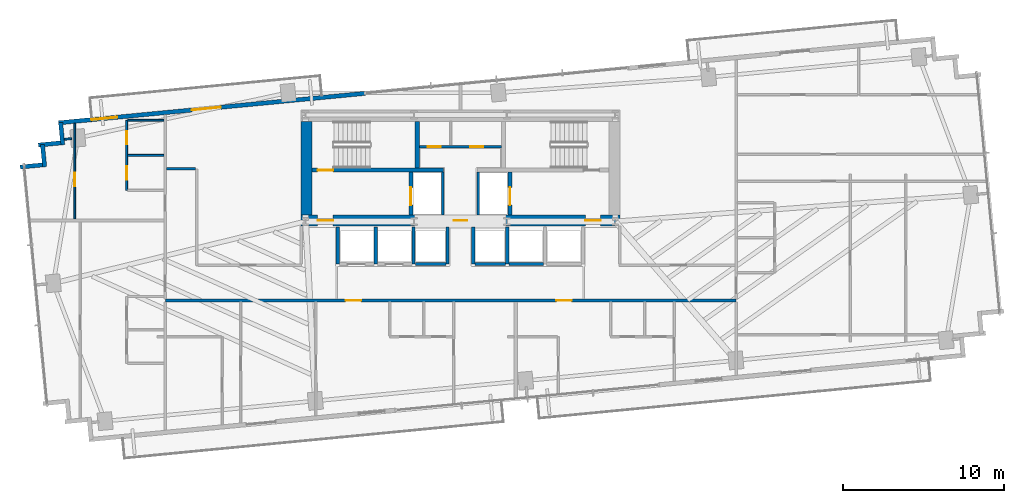
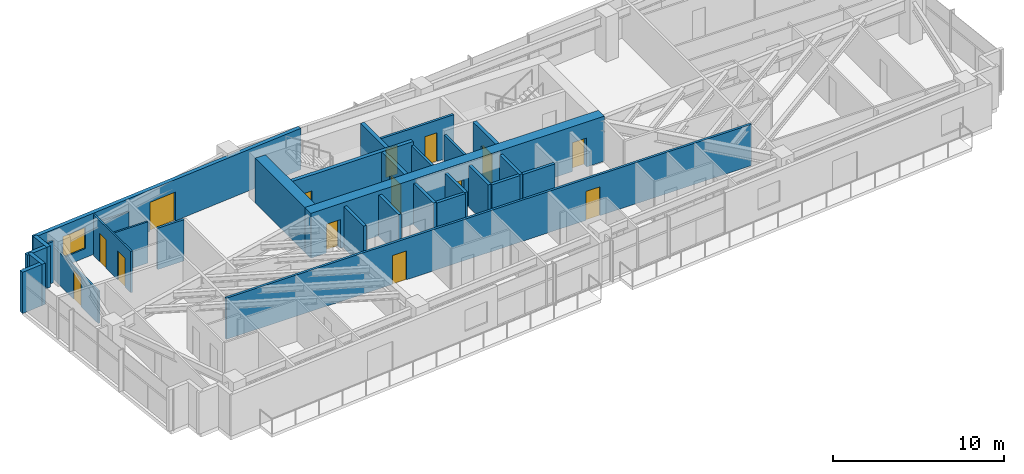
# One storey, part 22 of 27: 30 walls, 14 doors, 1 window, 15 openings.
"""IFC4 building model written with IfcOpenShell, lengths in metres."""

from ifc_helpers import new_model, si_unit, direction, frame, frame_2d, origin, place, context, subcontext, project, spatial, rectangle, extrude, source, transform, mapped, material, layer, layer_set, type_object, type_shapes, element, fill, save


model = new_model("IFC4")

# Units and contexts
model_context = context("Model", 3, precision=1e-05, world=origin(), true_north=direction((0.0, 1.0)))
body_context = subcontext(model_context, "Body", "Model", "MODEL_VIEW")
ifc_project = project(units=[si_unit("LENGTHUNIT", "METRE"), si_unit("AREAUNIT", "SQUARE_METRE"), si_unit("VOLUMEUNIT", "CUBIC_METRE"), si_unit("PLANEANGLEUNIT", "RADIAN"), si_unit("MASSUNIT", "GRAM", prefix="KILO")], contexts=[model_context])

# Site, building, storey
site_placement = place(None, origin())
site = spatial("IfcSite", under=ifc_project, at=site_placement, CompositionType="ELEMENT")
building_placement = place(site_placement, origin())
building = spatial("IfcBuilding", under=site, at=building_placement, Name="Astriad Promenade Condominiums", CompositionType="ELEMENT")
storey_placement = place(building_placement, frame((0.0, 0.0, 87.39990234375)))
storey = spatial("IfcBuildingStorey", under=building, at=storey_placement, Name="L24", CompositionType="ELEMENT", Elevation=87.39990234375)

# Wall, openings, doors
ifc_material_1 = material(Name="Concrete C60/75", Category="concrete")
ifc_layer_1 = layer(ifc_material_1, 0.699951171875)
ifc_layer_set_1 = layer_set([ifc_layer_1], Name="Concrete C60/75")
wall_type_1 = type_object("IfcWallType", Name="CW-SHEAR-700", PredefinedType="SHEAR", material=ifc_layer_set_1)
wall_1_placement = place(storey_placement, frame((26.10009765625, 17.449951171875, 0.0), z_axis=(0.0, 0.0, 1.0), x_axis=(1.0, 0.0, 0.0)))
wall_1 = element("IfcWall", 1, at=wall_1_placement, inside=storey, type_object=wall_type_1, Name="CW-CORE-S-L24", PredefinedType="SHEAR", context=body_context, shape_type="SweptSolid", body=[
    extrude(rectangle(XDim=19.7998046875, YDim=0.699951171875, at=frame_2d((9.89990234375, 0.0))), origin(), (0.0, 0.0, 1.0), 3.2001953125),
])
opening_1_placement = place(wall_1_placement, frame((1.050048828125, 0.0, 0.0)))
opening_1 = element("IfcOpeningElement", 2, at=opening_1_placement, cuts=wall_1, Name="Opening FD90-ST-095", PredefinedType="OPENING", context=body_context, shape_type="SweptSolid", body=[
    extrude(rectangle(XDim=0.949951171875, YDim=2.06005859375, at=frame_2d((0.47509765625, 1.030029296875))), frame((0.0, 0.35986328125, 0.0), z_axis=(0.0, -1.0, 0.0), x_axis=(1.0, 0.0, 0.0)), (0.0, 0.0, 1.0), 0.719970703125),
])
opening_2_placement = place(wall_1_placement, frame((9.47998046875, 0.0, 0.0)))
opening_2 = element("IfcOpeningElement", 3, at=opening_2_placement, cuts=wall_1, Name="Opening FD60-ULOW-085", PredefinedType="OPENING", context=body_context, shape_type="SweptSolid", body=[
    extrude(rectangle(XDim=0.85009765625, YDim=2.0, at=frame_2d((0.425048828125, 1.0))), frame((0.0, 0.35986328125, 0.0), z_axis=(0.0, -1.0, 0.0), x_axis=(1.0, 0.0, 0.0)), (0.0, 0.0, 1.0), 0.719970703125),
])
opening_3_placement = place(wall_1_placement, frame((17.64990234375, 0.0, 0.0)))
opening_3 = element("IfcOpeningElement", 4, at=opening_3_placement, cuts=wall_1, Name="Opening FD90-ST-095", PredefinedType="OPENING", context=body_context, shape_type="SweptSolid", body=[
    extrude(rectangle(XDim=0.949951171875, YDim=2.06005859375, at=frame_2d((0.47509765625, 1.030029296875))), frame((0.0, 0.35986328125, 0.0), z_axis=(0.0, -1.0, 0.0), x_axis=(1.0, 0.0, 0.0)), (0.0, 0.0, 1.0), 0.719970703125),
])
ifc_material_2 = material(Name="Fire-Rated Hollow Metal Stair Door")
door_type_1 = type_object("IfcDoorType", Name="FD90-ST-095", OperationType="NOTDEFINED", PredefinedType="DOOR", material=ifc_material_2)
shared_shape_1 = source(origin(), body_context, "Body", "SweptSolid", [
    extrude(rectangle(XDim=0.949951171875, YDim=2.06005859375, at=frame_2d((0.47509765625, 1.030029296875))), frame((0.0, 0.02490234375, 0.0), z_axis=(0.0, -1.0, 0.0), x_axis=(1.0, 0.0, 0.0)), (0.0, 0.0, 1.0), 0.050048828125),
])
type_shapes(door_type_1, [shared_shape_1])
door_1_placement = place(opening_1_placement, origin())
door_1 = element("IfcDoor", 5, at=door_1_placement, inside=storey, type_object=door_type_1, Name="D-FFW-L24", OperationType="SINGLE_SWING_LEFT", OverallHeight=2.06005859375, OverallWidth=0.949951171875, PredefinedType="DOOR", context=body_context, shape_type="MappedRepresentation", body=[
    mapped(shared_shape_1, transform((0.0, 0.0, 0.0), scale=1.0)),
])
fill(opening_1, door_1)
door_2_placement = place(opening_3_placement, origin())
door_2 = element("IfcDoor", 6, at=door_2_placement, inside=storey, type_object=door_type_1, Name="D-FFE-L24", OperationType="SINGLE_SWING_RIGHT", OverallHeight=2.06005859375, OverallWidth=0.949951171875, PredefinedType="DOOR", context=body_context, shape_type="MappedRepresentation", body=[
    mapped(shared_shape_1, transform((0.0, 0.0, 0.0), scale=1.0)),
])
fill(opening_3, door_2)
ifc_material_3 = material(Name="Solid-Core Low-Headroom Fire Door")
door_type_2 = type_object("IfcDoorType", Name="FD60-ULOW-085", OperationType="NOTDEFINED", PredefinedType="DOOR", material=ifc_material_3)
shared_shape_2 = source(origin(), body_context, "Body", "SweptSolid", [
    extrude(rectangle(XDim=0.85009765625, YDim=2.0, at=frame_2d((0.425048828125, 1.0))), frame((0.0, 0.02490234375, 0.0), z_axis=(0.0, -1.0, 0.0), x_axis=(1.0, 0.0, 0.0)), (0.0, 0.0, 1.0), 0.050048828125),
])
type_shapes(door_type_2, [shared_shape_2])
door_3_placement = place(opening_2_placement, origin())
door_3 = element("IfcDoor", 7, at=door_3_placement, inside=storey, type_object=door_type_2, Name="D-CSL-L24", OperationType="SINGLE_SWING_RIGHT", OverallHeight=2.0, OverallWidth=0.85009765625, PredefinedType="DOOR", context=body_context, shape_type="MappedRepresentation", body=[
    mapped(shared_shape_2, transform((0.0, 0.0, 0.0), scale=1.0)),
])
fill(opening_2, door_3)

# Wall
wall_2_placement = place(storey_placement, frame((26.449951171875, 17.802001953125, 0.0), z_axis=(0.0, 0.0, 1.0), x_axis=(0.0, 1.0, 0.0)))
element("IfcWall", 8, at=wall_2_placement, inside=storey, type_object=wall_type_1, Name="CW-CORE-W-L24", PredefinedType="SHEAR", context=body_context, shape_type="SweptSolid", body=[
    extrude(rectangle(XDim=5.7958984375, YDim=0.699951171875, at=frame_2d((2.89794921875, 0.0))), origin(), (0.0, 0.0, 1.0), 3.2001953125),
])

# Wall, opening, door
ifc_material_4 = material(Name="Concrete C50/60", Category="concrete")
ifc_layer_2 = layer(ifc_material_4, 0.25)
ifc_layer_set_2 = layer_set([ifc_layer_2], Name="Concrete C50/60")
wall_type_2 = type_object("IfcWallType", Name="WALL-CORE-INT-250", PredefinedType="SOLIDWALL", material=ifc_layer_set_2)
wall_3_placement = place(storey_placement, frame((26.802001953125, 20.574951171875, 0.0), z_axis=(0.0, 0.0, 1.0), x_axis=(1.0, 0.0, 0.0)))
wall_3 = element("IfcWall", 9, at=wall_3_placement, inside=storey, type_object=wall_type_2, Name="CW-INT-H1-L24", PredefinedType="SOLIDWALL", context=body_context, shape_type="SweptSolid", body=[
    extrude(rectangle(XDim=8.14794921875, YDim=0.25, at=frame_2d((4.073974609375, 0.0))), origin(), (0.0, 0.0, 1.0), 3.2001953125),
])
opening_4_placement = place(wall_3_placement, frame((0.347900390625, 0.0, 0.0)))
opening_4 = element("IfcOpeningElement", 10, at=opening_4_placement, cuts=wall_3, Name="Opening FD90-ST-095", PredefinedType="OPENING", context=body_context, shape_type="SweptSolid", body=[
    extrude(rectangle(XDim=0.949951171875, YDim=2.06005859375, at=frame_2d((0.47509765625, 1.030029296875))), frame((0.0, 0.135009765625, 0.0), z_axis=(0.0, -1.0, 0.0), x_axis=(1.0, 0.0, 0.0)), (0.0, 0.0, 1.0), 0.27001953125),
])
door_4_placement = place(opening_4_placement, origin())
door_4 = element("IfcDoor", 11, at=door_4_placement, inside=storey, type_object=door_type_1, Name="D-ST1-L24", OperationType="SINGLE_SWING_RIGHT", OverallHeight=2.06005859375, OverallWidth=0.949951171875, PredefinedType="DOOR", context=body_context, shape_type="MappedRepresentation", body=[
    mapped(shared_shape_1, transform((0.0, 0.0, 0.0), scale=1.0)),
])
fill(opening_4, door_4)

# Wall
wall_4_placement = place(storey_placement, frame((33.324951171875, 20.701904296875, 0.0), z_axis=(0.0, 0.0, 1.0), x_axis=(0.0, 1.0, 0.0)))
element("IfcWall", 12, at=wall_4_placement, inside=storey, type_object=wall_type_2, Name="CW-ST1-E-L24", PredefinedType="SOLIDWALL", context=body_context, shape_type="SweptSolid", body=[
    extrude(rectangle(XDim=2.89599609375, YDim=0.25, at=frame_2d((1.447998046875, 0.0))), origin(), (0.0, 0.0, 1.0), 3.2001953125),
])

# Wall, opening, door
wall_5_placement = place(storey_placement, frame((32.925048828125, 17.802001953125, 0.0), z_axis=(0.0, 0.0, 1.0), x_axis=(0.0, 1.0, 0.0)))
wall_5 = element("IfcWall", 13, at=wall_5_placement, inside=storey, type_object=wall_type_2, Name="CW-FFL1-W-L24", PredefinedType="SOLIDWALL", context=body_context, shape_type="SweptSolid", body=[
    extrude(rectangle(XDim=2.64599609375, YDim=0.25, at=frame_2d((1.322998046875, 0.0))), origin(), (0.0, 0.0, 1.0), 3.2001953125),
])
opening_5_placement = place(wall_5_placement, frame((0.597900390625, 0.0, 0.0)))
opening_5 = element("IfcOpeningElement", 14, at=opening_5_placement, cuts=wall_5, Name="Opening LD-FFL-1122", PredefinedType="OPENING", context=body_context, shape_type="SweptSolid", body=[
    extrude(rectangle(XDim=1.10009765625, YDim=2.080078125, at=frame_2d((0.550048828125, 1.0400390625))), frame((0.0, 0.135009765625, 0.0), z_axis=(0.0, -1.0, 0.0), x_axis=(1.0, 0.0, 0.0)), (0.0, 0.0, 1.0), 0.27001953125),
])
ifc_material_5 = material(Name="Brushed Stainless Steel Fire Elevator Landing Door", Category="steel")
door_type_3 = type_object("IfcDoorType", Name="LD-FFL-1122", OperationType="NOTDEFINED", PredefinedType="DOOR", material=ifc_material_5)
shared_shape_3 = source(origin(), body_context, "Body", "SweptSolid", [
    extrude(rectangle(XDim=1.10009765625, YDim=2.080078125, at=frame_2d((0.550048828125, 1.0400390625))), frame((0.0, 0.02490234375, 0.0), z_axis=(0.0, -1.0, 0.0), x_axis=(1.0, 0.0, 0.0)), (0.0, 0.0, 1.0), 0.050048828125),
])
type_shapes(door_type_3, [shared_shape_3])
door_5_placement = place(opening_5_placement, origin())
door_5 = element("IfcDoor", 15, at=door_5_placement, inside=storey, type_object=door_type_3, Name="Elevator Landing Door FFL-1 (L24)", OperationType="SLIDING_TO_LEFT", OverallHeight=2.080078125, OverallWidth=1.10009765625, PredefinedType="DOOR", context=body_context, shape_type="MappedRepresentation", body=[
    mapped(shared_shape_3, transform((0.0, 0.0, 0.0), scale=1.0)),
])
fill(opening_5, door_5)

wall_6_placement = place(storey_placement, frame((39.074951171875, 17.802001953125, 0.0), z_axis=(0.0, 0.0, 1.0), x_axis=(0.0, 1.0, 0.0)))
wall_6 = element("IfcWall", 16, at=wall_6_placement, inside=storey, type_object=wall_type_2, Name="CW-FFL2-E-L24", PredefinedType="SOLIDWALL", context=body_context, shape_type="SweptSolid", body=[
    extrude(rectangle(XDim=2.64599609375, YDim=0.25, at=frame_2d((1.322998046875, 0.0))), origin(), (0.0, 0.0, 1.0), 3.2001953125),
])
opening_6_placement = place(wall_6_placement, frame((0.597900390625, 0.0, 0.0)))
opening_6 = element("IfcOpeningElement", 17, at=opening_6_placement, cuts=wall_6, Name="Opening LD-FFL-1122", PredefinedType="OPENING", context=body_context, shape_type="SweptSolid", body=[
    extrude(rectangle(XDim=1.10009765625, YDim=2.080078125, at=frame_2d((0.550048828125, 1.0400390625))), frame((0.0, 0.135009765625, 0.0), z_axis=(0.0, -1.0, 0.0), x_axis=(1.0, 0.0, 0.0)), (0.0, 0.0, 1.0), 0.27001953125),
])
door_6_placement = place(opening_6_placement, origin())
door_6 = element("IfcDoor", 18, at=door_6_placement, inside=storey, type_object=door_type_3, Name="Elevator Landing Door FFL-2 (L24)", OperationType="SLIDING_TO_RIGHT", OverallHeight=2.080078125, OverallWidth=1.10009765625, PredefinedType="DOOR", context=body_context, shape_type="MappedRepresentation", body=[
    mapped(shared_shape_3, transform((0.0, 0.0, 0.0), scale=1.0)),
])
fill(opening_6, door_6)

# Walls
ifc_material_6 = material(Name="Fire-Rated Gypsum Partition")
ifc_layer_3 = layer(ifc_material_6, 0.159912109375)
ifc_layer_set_3 = layer_set([ifc_layer_3], Name="Fire-Rated Gypsum Partition")
wall_type_3 = type_object("IfcWallType", Name="WALL-CORR-160", PredefinedType="PARTITIONING", material=ifc_layer_set_3)
for number, where, z_axis, x_axis, name in (
    (19, (34.89990234375, 17.802001953125, 0.0), (0.0, 0.0, 1.0), (0.0, 1.0, 0.0), "CW-FFL1-E-L24"),
    (20, (37.10009765625, 17.802001953125, 0.0), (0.0, 0.0, 1.0), (0.0, 1.0, 0.0), "CW-FFL2-W-L24"),
):
    element("IfcWall", number, at=place(storey_placement, frame(where, z_axis=z_axis, x_axis=x_axis)), inside=storey, type_object=wall_type_3, Name=name, PredefinedType="PARTITIONING", context=body_context, shape_type="SweptSolid", body=[
        extrude(rectangle(XDim=2.64599609375, YDim=0.159912109375, at=frame_2d((1.322998046875, 0.0))), origin(), (0.0, 0.0, 1.0), 2.940185546875),
    ])

# Wall, openings, doors
wall_7_placement = place(storey_placement, frame((33.451904296875, 22.030029296875, 0.0), z_axis=(0.0, 0.0, 1.0), x_axis=(1.0, 0.0, 0.0)))
wall_7 = element("IfcWall", 21, at=wall_7_placement, inside=storey, type_object=wall_type_3, Name="CW-AUX-N-L24", PredefinedType="PARTITIONING", context=body_context, shape_type="SweptSolid", body=[
    extrude(rectangle(XDim=5.09619140625, YDim=0.159912109375, at=frame_2d((2.548095703125, 0.0))), origin(), (0.0, 0.0, 1.0), 2.940185546875),
])
opening_7_placement = place(wall_7_placement, frame((0.5380859375, 0.0, 0.0)))
opening_7 = element("IfcOpeningElement", 22, at=opening_7_placement, cuts=wall_7, Name="Opening FD60-SV-080", PredefinedType="OPENING", context=body_context, shape_type="SweptSolid", body=[
    extrude(rectangle(XDim=0.800048828125, YDim=2.050048828125, at=frame_2d((0.39990234375, 1.02490234375))), frame((0.0, 0.08984375, 0.0), z_axis=(0.0, -1.0, 0.0), x_axis=(1.0, 0.0, 0.0)), (0.0, 0.0, 1.0), 0.179931640625),
])
opening_8_placement = place(wall_7_placement, frame((3.157958984375, 0.0, 0.0)))
opening_8 = element("IfcOpeningElement", 23, at=opening_8_placement, cuts=wall_7, Name="Opening FD60-SV-080", PredefinedType="OPENING", context=body_context, shape_type="SweptSolid", body=[
    extrude(rectangle(XDim=0.800048828125, YDim=2.050048828125, at=frame_2d((0.39990234375, 1.02490234375))), frame((0.0, 0.08984375, 0.0), z_axis=(0.0, -1.0, 0.0), x_axis=(1.0, 0.0, 0.0)), (0.0, 0.0, 1.0), 0.179931640625),
])
ifc_material_7 = material(Name="Fire-Rated Riser Closet Door")
door_type_4 = type_object("IfcDoorType", Name="FD60-SV-080", OperationType="NOTDEFINED", PredefinedType="DOOR", material=ifc_material_7)
shared_shape_4 = source(origin(), body_context, "Body", "SweptSolid", [
    extrude(rectangle(XDim=0.800048828125, YDim=2.050048828125, at=frame_2d((0.39990234375, 1.02490234375))), frame((0.0, 0.02490234375, 0.0), z_axis=(0.0, -1.0, 0.0), x_axis=(1.0, 0.0, 0.0)), (0.0, 0.0, 1.0), 0.050048828125),
])
type_shapes(door_type_4, [shared_shape_4])
door_7_placement = place(opening_7_placement, origin())
door_7 = element("IfcDoor", 24, at=door_7_placement, inside=storey, type_object=door_type_4, Name="D-AUX1-L24", OperationType="SINGLE_SWING_RIGHT", OverallHeight=2.050048828125, OverallWidth=0.800048828125, PredefinedType="DOOR", context=body_context, shape_type="MappedRepresentation", body=[
    mapped(shared_shape_4, transform((0.0, 0.0, 0.0), scale=1.0)),
])
fill(opening_7, door_7)
door_8_placement = place(opening_8_placement, origin())
door_8 = element("IfcDoor", 25, at=door_8_placement, inside=storey, type_object=door_type_4, Name="D-AUX2-L24", OperationType="SINGLE_SWING_LEFT", OverallHeight=2.050048828125, OverallWidth=0.800048828125, PredefinedType="DOOR", context=body_context, shape_type="MappedRepresentation", body=[
    mapped(shared_shape_4, transform((0.0, 0.0, 0.0), scale=1.0)),
])
fill(opening_8, door_8)

wall_8_placement = place(storey_placement, frame((17.699951171875, 12.489990234375, 0.0), z_axis=(0.0, 0.0, 1.0), x_axis=(1.0, 0.0, 0.0)))
wall_8 = element("IfcWall", 26, at=wall_8_placement, inside=storey, type_object=wall_type_3, Name="PT-COR-S-L24", PredefinedType="PARTITIONING", context=body_context, shape_type="SweptSolid", body=[
    extrude(rectangle(XDim=35.400146484375, YDim=0.159912109375, at=frame_2d((17.7001953125, 0.0))), origin(), (0.0, 0.0, 1.0), 2.940185546875),
])
opening_9_placement = place(wall_8_placement, frame((11.18994140625, 0.0, 0.0)))
opening_9 = element("IfcOpeningElement", 27, at=opening_9_placement, cuts=wall_8, Name="Opening FD60-APT-095", PredefinedType="OPENING", context=body_context, shape_type="SweptSolid", body=[
    extrude(rectangle(XDim=0.949951171875, YDim=2.06005859375, at=frame_2d((0.47509765625, 1.030029296875))), frame((0.0, 0.08984375, 0.0), z_axis=(0.0, -1.0, 0.0), x_axis=(1.0, 0.0, 0.0)), (0.0, 0.0, 1.0), 0.179931640625),
])
opening_10_placement = place(wall_8_placement, frame((24.25, 0.0, 0.0)))
opening_10 = element("IfcOpeningElement", 28, at=opening_10_placement, cuts=wall_8, Name="Opening FD60-APT-095", PredefinedType="OPENING", context=body_context, shape_type="SweptSolid", body=[
    extrude(rectangle(XDim=0.949951171875, YDim=2.06005859375, at=frame_2d((0.47509765625, 1.030029296875))), frame((0.0, 0.08984375, 0.0), z_axis=(0.0, -1.0, 0.0), x_axis=(1.0, 0.0, 0.0)), (0.0, 0.0, 1.0), 0.179931640625),
])
ifc_material_8 = material(Name="Solid-Core Acoustic Timber Residence Entry Door", Category="wood")
door_type_5 = type_object("IfcDoorType", Name="FD60-APT-095", OperationType="NOTDEFINED", PredefinedType="DOOR", material=ifc_material_8)
shared_shape_5 = source(origin(), body_context, "Body", "SweptSolid", [
    extrude(rectangle(XDim=0.949951171875, YDim=2.06005859375, at=frame_2d((0.47509765625, 1.030029296875))), frame((0.0, 0.02490234375, 0.0), z_axis=(0.0, -1.0, 0.0), x_axis=(1.0, 0.0, 0.0)), (0.0, 0.0, 1.0), 0.050048828125),
])
type_shapes(door_type_5, [shared_shape_5])
door_9_placement = place(opening_9_placement, origin())
door_9 = element("IfcDoor", 29, at=door_9_placement, inside=storey, type_object=door_type_5, Name="D-ENT-L24-S1", OperationType="SINGLE_SWING_LEFT", OverallHeight=2.06005859375, OverallWidth=0.949951171875, PredefinedType="DOOR", context=body_context, shape_type="MappedRepresentation", body=[
    mapped(shared_shape_5, transform((0.0, 0.0, 0.0), scale=1.0)),
])
fill(opening_9, door_9)
door_10_placement = place(opening_10_placement, origin())
door_10 = element("IfcDoor", 30, at=door_10_placement, inside=storey, type_object=door_type_5, Name="D-ENT-L24-S2", OperationType="SINGLE_SWING_RIGHT", OverallHeight=2.06005859375, OverallWidth=0.949951171875, PredefinedType="DOOR", context=body_context, shape_type="MappedRepresentation", body=[
    mapped(shared_shape_5, transform((0.0, 0.0, 0.0), scale=1.0)),
])
fill(opening_10, door_10)

# Walls
wall_9_placement = place(storey_placement, frame((17.781982421875, 20.64990234375, 0.0), z_axis=(0.0, 0.0, 1.0), x_axis=(1.0, 0.0, 0.0)))
element("IfcWall", 31, at=wall_9_placement, inside=storey, type_object=wall_type_3, Name="PT-WALC-N-L24", PredefinedType="PARTITIONING", context=body_context, shape_type="SweptSolid", body=[
    extrude(rectangle(XDim=1.7861328125, YDim=0.159912109375, at=frame_2d((0.89306640625, 0.0))), origin(), (0.0, 0.0, 1.0), 2.940185546875),
])
ifc_material_9 = material(Name="Precast concrete C50/60", Category="concrete")
ifc_layer_4 = layer(ifc_material_9, 0.260009765625)
ifc_layer_set_4 = layer_set([ifc_layer_4], Name="Precast concrete C50/60")
wall_type_4 = type_object("IfcWallType", Name="WALL-EXT-TWR-260", PredefinedType="STANDARD", material=ifc_layer_set_4)
for number, where, z_axis, x_axis, name in (
    (32, (8.701416015625, 20.767333984375, 0.0), (0.0, 0.0, 1.0), (0.995391056452, 0.09589913835, 0.0), "W-SER-L24-04"),
    (33, (10.216796875, 20.78271484375, 0.0), (0.0, 0.0, 1.0), (-0.095725744959, 0.99540774648, 0.0), "W-SER-L24-05"),
):
    element("IfcWall", number, at=place(storey_placement, frame(where, z_axis=z_axis, x_axis=x_axis)), inside=storey, type_object=wall_type_4, Name=name, PredefinedType="STANDARD", context=body_context, shape_type="SweptSolid", body=[
        extrude(rectangle(XDim=1.39501953125, YDim=0.260009765625, at=frame_2d((0.697509765625, 0.0))), origin(), (0.0, 0.0, 1.0), 2.940185546875),
    ])
wall_10_placement = place(storey_placement, frame((9.825927734375, 22.13134765625, 0.0), z_axis=(0.0, 0.0, 1.0), x_axis=(0.995389446633, 0.095915846097, 0.0)))
element("IfcWall", 34, at=wall_10_placement, inside=storey, type_object=wall_type_4, Name="W-SER-L24-06", PredefinedType="STANDARD", context=body_context, shape_type="SweptSolid", body=[
    extrude(rectangle(XDim=1.394775390625, YDim=0.260009765625, at=frame_2d((0.697265625, 0.0))), origin(), (0.0, 0.0, 1.0), 2.940185546875),
])
wall_11_placement = place(storey_placement, frame((11.34130859375, 22.146728515625, 0.0), z_axis=(0.0, 0.0, 1.0), x_axis=(-0.09589913835, 0.995391056452, 0.0)))
element("IfcWall", 35, at=wall_11_placement, inside=storey, type_object=wall_type_4, Name="W-SER-L24-07", PredefinedType="STANDARD", context=body_context, shape_type="SweptSolid", body=[
    extrude(rectangle(XDim=1.39501953125, YDim=0.260009765625, at=frame_2d((0.697509765625, 0.0))), origin(), (0.0, 0.0, 1.0), 2.940185546875),
])

# Wall, openings, door, window
wall_12_placement = place(storey_placement, frame((11.07958984375, 23.508056640625, 0.0), z_axis=(0.0, 0.0, 1.0), x_axis=(0.995396638587, 0.095841180552, 0.0)))
wall_12 = element("IfcWall", 36, at=wall_12_placement, inside=storey, type_object=wall_type_4, Name="W-EXT-L24-N1", PredefinedType="STANDARD", context=body_context, shape_type="SweptSolid", body=[
    extrude(rectangle(XDim=19.110107421875, YDim=0.260009765625, at=frame_2d((9.55517578125, 0.0))), origin(), (0.0, 0.0, 1.0), 2.940185546875),
])
opening_11_placement = place(wall_12_placement, frame((8.302978515625, 0.0, 0.0)))
opening_11 = element("IfcOpeningElement", 37, at=opening_11_placement, cuts=wall_12, Name="Opening BD-1822-SLD", PredefinedType="OPENING", context=body_context, shape_type="SweptSolid", body=[
    extrude(rectangle(XDim=1.800048828125, YDim=2.06005859375, at=frame_2d((0.89990234375, 1.030029296875))), frame((0.0, 0.139892578125, 0.0), z_axis=(0.0, -1.0, 0.0), x_axis=(1.0, 0.0, 0.0)), (0.0, 0.0, 1.0), 0.280029296875),
])
opening_12_placement = place(wall_12_placement, frame((2.050048828125, 0.0, 0.64990234375)))
opening_12 = element("IfcOpeningElement", 38, at=opening_12_placement, cuts=wall_12, Name="Opening WIN-TWR-1620", PredefinedType="OPENING", context=body_context, shape_type="SweptSolid", body=[
    extrude(rectangle(XDim=1.60009765625, YDim=1.5, at=frame_2d((0.800048828125, 0.75))), frame((0.0, 0.139892578125, 0.0), z_axis=(0.0, -1.0, 0.0), x_axis=(1.0, 0.0, 0.0)), (0.0, 0.0, 1.0), 0.280029296875),
])
ifc_material_10 = material(Name="Thermally Broken Aluminium Sliding Balcony Door", Category="aluminium")
door_type_6 = type_object("IfcDoorType", Name="BD-1822-SLD", OperationType="NOTDEFINED", PredefinedType="DOOR", material=ifc_material_10)
shared_shape_6 = source(origin(), body_context, "Body", "SweptSolid", [
    extrude(rectangle(XDim=1.800048828125, YDim=2.06005859375, at=frame_2d((0.89990234375, 1.030029296875))), frame((0.0, 0.02490234375, 0.0), z_axis=(0.0, -1.0, 0.0), x_axis=(1.0, 0.0, 0.0)), (0.0, 0.0, 1.0), 0.050048828125),
])
type_shapes(door_type_6, [shared_shape_6])
door_11_placement = place(opening_11_placement, origin())
door_11 = element("IfcDoor", 39, at=door_11_placement, inside=storey, type_object=door_type_6, Name="BD-L24-NW", OperationType="SLIDING_TO_LEFT", OverallHeight=2.06005859375, OverallWidth=1.800048828125, PredefinedType="DOOR", context=body_context, shape_type="MappedRepresentation", body=[
    mapped(shared_shape_6, transform((0.0, 0.0, 0.0), scale=1.0)),
])
fill(opening_11, door_11)
ifc_material_11 = material(Name="Dark Tinted Triple-Glazed Aluminium Window", Category="aluminium")
window_type = type_object("IfcWindowType", Name="WIN-TWR-1620", PartitioningType="SINGLE_PANEL", PredefinedType="WINDOW", material=ifc_material_11)
shared_shape_7 = source(origin(), body_context, "Body", "SweptSolid", [
    extrude(rectangle(XDim=1.60009765625, YDim=1.5, at=frame_2d((0.800048828125, 0.75))), frame((0.0, 0.030029296875, 0.0), z_axis=(0.0, -1.0, 0.0), x_axis=(1.0, 0.0, 0.0)), (0.0, 0.0, 1.0), 0.06005859375),
])
type_shapes(window_type, [shared_shape_7])
window_placement = place(opening_12_placement, origin())
window = element("IfcWindow", 40, at=window_placement, inside=storey, type_object=window_type, Name="WIN-L24-NW", OverallHeight=1.5, OverallWidth=1.60009765625, PartitioningType="SINGLE_PANEL", PredefinedType="WINDOW", context=body_context, shape_type="MappedRepresentation", body=[
    mapped(shared_shape_7, transform((0.0, 0.0, 0.0), scale=1.0)),
])
fill(opening_12, window)

# Wall, openings, doors
ifc_material_12 = material(Name="Acoustic Metal-Stud Gypsum Partition")
ifc_layer_5 = layer(ifc_material_12, 0.1201171875)
ifc_layer_set_5 = layer_set([ifc_layer_5], Name="Acoustic Metal-Stud Gypsum Partition")
wall_type_5 = type_object("IfcWallType", Name="WALL-PART-120", PredefinedType="PARTITIONING", material=ifc_layer_set_5)
wall_13_placement = place(storey_placement, frame((15.300048828125, 19.320068359375, 0.0), z_axis=(0.0, 0.0, 1.0), x_axis=(0.0, 1.0, 0.0)))
wall_13 = element("IfcWall", 41, at=wall_13_placement, inside=storey, type_object=wall_type_5, Name="PT-L24-W2-PV", PredefinedType="PARTITIONING", context=body_context, shape_type="SweptSolid", body=[
    extrude(rectangle(XDim=4.349853515625, YDim=0.1201171875, at=frame_2d((2.1748046875, 0.0))), origin(), (0.0, 0.0, 1.0), 2.940185546875),
])
opening_13_placement = place(wall_13_placement, frame((0.662109375, 0.0, 0.0)))
opening_13 = element("IfcOpeningElement", 42, at=opening_13_placement, cuts=wall_13, Name="Opening D-INT-085", PredefinedType="OPENING", context=body_context, shape_type="SweptSolid", body=[
    extrude(rectangle(XDim=0.85009765625, YDim=2.050048828125, at=frame_2d((0.425048828125, 1.02490234375))), frame((0.0, 0.070068359375, 0.0), z_axis=(0.0, -1.0, 0.0), x_axis=(1.0, 0.0, 0.0)), (0.0, 0.0, 1.0), 0.14013671875),
])
opening_14_placement = place(wall_13_placement, frame((2.863037109375, 0.0, 0.0)))
opening_14 = element("IfcOpeningElement", 43, at=opening_14_placement, cuts=wall_13, Name="Opening D-WET-080", PredefinedType="OPENING", context=body_context, shape_type="SweptSolid", body=[
    extrude(rectangle(XDim=0.800048828125, YDim=2.02001953125, at=frame_2d((0.39990234375, 1.010009765625))), frame((0.0, 0.070068359375, 0.0), z_axis=(0.0, -1.0, 0.0), x_axis=(1.0, 0.0, 0.0)), (0.0, 0.0, 1.0), 0.14013671875),
])
ifc_material_13 = material(Name="Moisture-Resistant Timber Bathroom Door", Category="wood")
door_type_7 = type_object("IfcDoorType", Name="D-WET-080", OperationType="NOTDEFINED", PredefinedType="DOOR", material=ifc_material_13)
shared_shape_8 = source(origin(), body_context, "Body", "SweptSolid", [
    extrude(rectangle(XDim=0.800048828125, YDim=2.02001953125, at=frame_2d((0.39990234375, 1.010009765625))), frame((0.0, 0.02490234375, 0.0), z_axis=(0.0, -1.0, 0.0), x_axis=(1.0, 0.0, 0.0)), (0.0, 0.0, 1.0), 0.050048828125),
])
type_shapes(door_type_7, [shared_shape_8])
door_12_placement = place(opening_14_placement, origin())
door_12 = element("IfcDoor", 44, at=door_12_placement, inside=storey, type_object=door_type_7, Name="D-BTH-L24-W2", OperationType="SINGLE_SWING_RIGHT", OverallHeight=2.02001953125, OverallWidth=0.800048828125, PredefinedType="DOOR", context=body_context, shape_type="MappedRepresentation", body=[
    mapped(shared_shape_8, transform((0.0, 0.0, 0.0), scale=1.0)),
])
fill(opening_14, door_12)
ifc_material_14 = material(Name="Painted Solid-Core Timber Room Door", Category="wood")
door_type_8 = type_object("IfcDoorType", Name="D-INT-085", OperationType="NOTDEFINED", PredefinedType="DOOR", material=ifc_material_14)
shared_shape_9 = source(origin(), body_context, "Body", "SweptSolid", [
    extrude(rectangle(XDim=0.85009765625, YDim=2.050048828125, at=frame_2d((0.425048828125, 1.02490234375))), frame((0.0, 0.02490234375, 0.0), z_axis=(0.0, -1.0, 0.0), x_axis=(1.0, 0.0, 0.0)), (0.0, 0.0, 1.0), 0.050048828125),
])
type_shapes(door_type_8, [shared_shape_9])
door_13_placement = place(opening_13_placement, origin())
door_13 = element("IfcDoor", 45, at=door_13_placement, inside=storey, type_object=door_type_8, Name="D-KIT-L24-W2", OperationType="SINGLE_SWING_LEFT", OverallHeight=2.050048828125, OverallWidth=0.85009765625, PredefinedType="DOOR", context=body_context, shape_type="MappedRepresentation", body=[
    mapped(shared_shape_9, transform((0.0, 0.0, 0.0), scale=1.0)),
])
fill(opening_13, door_13)

# Walls
wall_14_placement = place(storey_placement, frame((15.362060546875, 21.4951171875, 0.0), z_axis=(0.0, 0.0, 1.0), x_axis=(1.0, 0.0, 0.0)))
element("IfcWall", 46, at=wall_14_placement, inside=storey, type_object=wall_type_5, Name="PT-L24-W2-PM", PredefinedType="PARTITIONING", context=body_context, shape_type="SweptSolid", body=[
    extrude(rectangle(XDim=2.255859375, YDim=0.1201171875, at=frame_2d((1.1279296875, 0.0))), origin(), (0.0, 0.0, 1.0), 2.940185546875),
])
wall_15_placement = place(storey_placement, frame((15.362060546875, 23.669921875, 0.0), z_axis=(0.0, 0.0, 1.0), x_axis=(1.0, 0.0, 0.0)))
element("IfcWall", 47, at=wall_15_placement, inside=storey, type_object=wall_type_5, Name="PT-L24-W2-PN", PredefinedType="PARTITIONING", context=body_context, shape_type="SweptSolid", body=[
    extrude(rectangle(XDim=2.255859375, YDim=0.1201171875, at=frame_2d((1.1279296875, 0.0))), origin(), (0.0, 0.0, 1.0), 2.31005859375),
])

# Wall, opening, door
wall_16_placement = place(storey_placement, frame((12.083984375, 17.552001953125, 0.0), z_axis=(0.0, 0.0, 1.0), x_axis=(0.0, 1.0, 0.0)))
wall_16 = element("IfcWall", 48, at=wall_16_placement, inside=storey, type_object=wall_type_5, Name="PT-L24-W2-B1", PredefinedType="PARTITIONING", context=body_context, shape_type="SweptSolid", body=[
    extrude(rectangle(XDim=5.920166015625, YDim=0.1201171875, at=frame_2d((2.9599609375, 0.0))), origin(), (0.0, 0.0, 1.0), 2.31005859375),
])
opening_15_placement = place(wall_16_placement, frame((2.02197265625, 0.0, 0.0)))
opening_15 = element("IfcOpeningElement", 49, at=opening_15_placement, cuts=wall_16, Name="Opening D-INT-085", PredefinedType="OPENING", context=body_context, shape_type="SweptSolid", body=[
    extrude(rectangle(XDim=0.85009765625, YDim=2.050048828125, at=frame_2d((0.425048828125, 1.02490234375))), frame((0.0, 0.070068359375, 0.0), z_axis=(0.0, -1.0, 0.0), x_axis=(1.0, 0.0, 0.0)), (0.0, 0.0, 1.0), 0.14013671875),
])
door_14_placement = place(opening_15_placement, origin())
door_14 = element("IfcDoor", 50, at=door_14_placement, inside=storey, type_object=door_type_8, Name="D-BD1-L24-W2", OperationType="SINGLE_SWING_LEFT", OverallHeight=2.050048828125, OverallWidth=0.85009765625, PredefinedType="DOOR", context=body_context, shape_type="MappedRepresentation", body=[
    mapped(shared_shape_9, transform((0.0, 0.0, 0.0), scale=1.0)),
])
fill(opening_15, door_14)

# Walls
wall_17_placement = place(storey_placement, frame((11.89697265625, 22.53173828125, 0.0), z_axis=(0.0, 0.0, 1.0), x_axis=(-0.995384576284, -0.09596637586, 0.0)))
element("IfcWall", 51, at=wall_17_placement, inside=storey, type_object=wall_type_5, Name="PT-PIL-L24-PC06-13", PredefinedType="PARTITIONING", context=body_context, shape_type="SweptSolid", body=[
    extrude(rectangle(XDim=0.4580078125, YDim=0.1201171875, at=frame_2d((0.22900390625, 0.0))), origin(), (0.0, 0.0, 1.0), 2.940185546875),
])
ifc_material_15 = material(Name="Gypsum Shaftliner Assembly")
ifc_layer_6 = layer(ifc_material_15, 0.199951171875)
ifc_layer_set_6 = layer_set([ifc_layer_6], Name="Gypsum Shaftliner Assembly")
wall_type_6 = type_object("IfcWallType", Name="WALL-SHAFT-200", PredefinedType="PARTITIONING", material=ifc_layer_set_6)
for number, where, z_axis, x_axis, name in (
    (52, (28.39990234375, 14.75, 0.0), (0.0, 0.0, 1.0), (0.0, 1.0, 0.0), "PL-W-OUT-L24"),
    (53, (30.75, 14.75, 0.0), (0.0, 0.0, 1.0), (0.0, 1.0, 0.0), "PL-L-DIV-L24"),
    (54, (33.10009765625, 14.75, 0.0), (0.0, 0.0, 1.0), (0.0, 1.0, 0.0), "PL-LM-DIV-L24"),
    (55, (35.199951171875, 14.75, 0.0), (0.0, 0.0, 1.0), (0.0, 1.0, 0.0), "PL-M1-E-L24"),
):
    element("IfcWall", number, at=place(storey_placement, frame(where, z_axis=z_axis, x_axis=x_axis)), inside=storey, type_object=wall_type_6, Name=name, PredefinedType="PARTITIONING", context=body_context, shape_type="SweptSolid", body=[
        extrude(rectangle(XDim=2.300048828125, YDim=0.199951171875, at=frame_2d((1.14990234375, 0.0))), origin(), (0.0, 0.0, 1.0), 2.940185546875),
    ])
wall_18_placement = place(storey_placement, frame((33.201904296875, 14.75, 0.0), z_axis=(0.0, 0.0, 1.0), x_axis=(1.0, 0.0, 0.0)))
element("IfcWall", 56, at=wall_18_placement, inside=storey, type_object=wall_type_6, Name="PL-M1-F-L24", PredefinedType="PARTITIONING", context=body_context, shape_type="SweptSolid", body=[
    extrude(rectangle(XDim=1.89599609375, YDim=0.199951171875, at=frame_2d((0.947998046875, 0.0))), origin(), (0.0, 0.0, 1.0), 2.940185546875),
])
for number, where, z_axis, x_axis, name in (
    (57, (36.800048828125, 14.75, 0.0), (0.0, 0.0, 1.0), (0.0, 1.0, 0.0), "PL-M2-W-L24"),
    (58, (38.89990234375, 14.75, 0.0), (0.0, 0.0, 1.0), (0.0, 1.0, 0.0), "PL-MH-DIV-L24"),
):
    element("IfcWall", number, at=place(storey_placement, frame(where, z_axis=z_axis, x_axis=x_axis)), inside=storey, type_object=wall_type_6, Name=name, PredefinedType="PARTITIONING", context=body_context, shape_type="SweptSolid", body=[
        extrude(rectangle(XDim=2.300048828125, YDim=0.199951171875, at=frame_2d((1.14990234375, 0.0))), origin(), (0.0, 0.0, 1.0), 2.940185546875),
    ])
wall_19_placement = place(storey_placement, frame((36.902099609375, 14.75, 0.0), z_axis=(0.0, 0.0, 1.0), x_axis=(1.0, 0.0, 0.0)))
element("IfcWall", 59, at=wall_19_placement, inside=storey, type_object=wall_type_6, Name="PL-M2-F-L24", PredefinedType="PARTITIONING", context=body_context, shape_type="SweptSolid", body=[
    extrude(rectangle(XDim=1.89599609375, YDim=0.199951171875, at=frame_2d((0.947998046875, 0.0))), origin(), (0.0, 0.0, 1.0), 2.940185546875),
])
wall_20_placement = place(storey_placement, frame((39.001953125, 14.75, 0.0), z_axis=(0.0, 0.0, 1.0), x_axis=(1.0, 0.0, 0.0)))
element("IfcWall", 60, at=wall_20_placement, inside=storey, type_object=wall_type_6, Name="PL-H-FRT-L24", PredefinedType="PARTITIONING", context=body_context, shape_type="SweptSolid", body=[
    extrude(rectangle(XDim=2.14599609375, YDim=0.199951171875, at=frame_2d((1.072998046875, 0.0))), origin(), (0.0, 0.0, 1.0), 2.940185546875),
])

save(model, "model.ifc")
